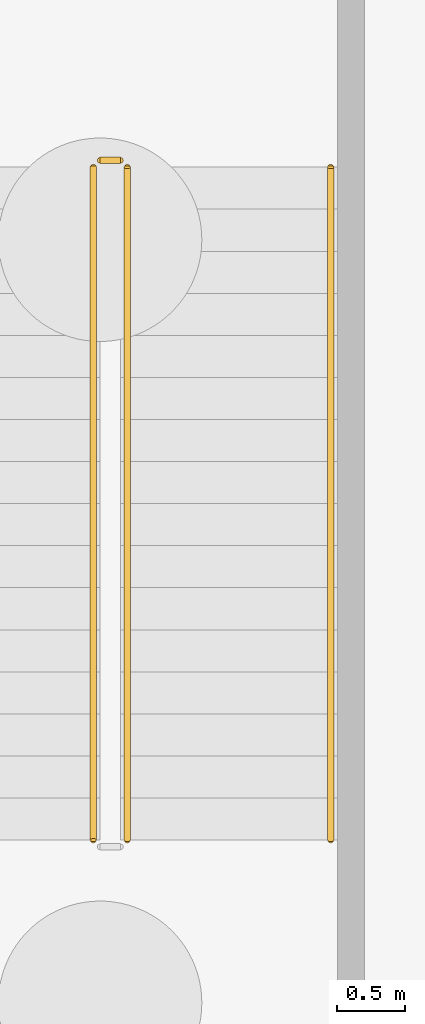
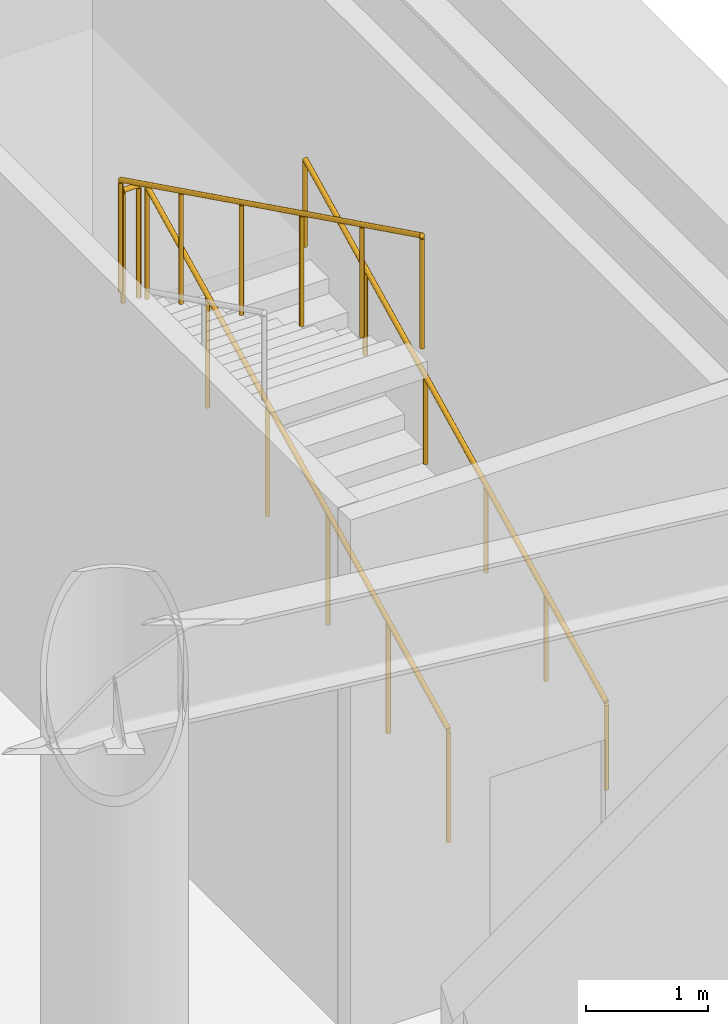
# One storey, part 10 of 11: 4 railings.
"""IFC4 building model written with IfcOpenShell, lengths in metres."""

from ifc_helpers import new_model, si_unit, direction, frame, origin, origin_2d, place, context, subcontext, project, spatial, circle, extrude, material, type_object, element, save


model = new_model("IFC4")

# Units and contexts
model_context = context("Model", 3, precision=1e-05, world=origin(), true_north=direction((0.0, 1.0)))
body_context = subcontext(model_context, "Body", "Model", "MODEL_VIEW")
ifc_project = project(units=[si_unit("LENGTHUNIT", "METRE"), si_unit("AREAUNIT", "SQUARE_METRE"), si_unit("VOLUMEUNIT", "CUBIC_METRE"), si_unit("PLANEANGLEUNIT", "RADIAN"), si_unit("MASSUNIT", "GRAM", prefix="KILO")], contexts=[model_context])

# Site, building, storey
site_placement = place(None, origin())
site = spatial("IfcSite", under=ifc_project, at=site_placement, CompositionType="ELEMENT")
building_placement = place(site_placement, origin())
building = spatial("IfcBuilding", under=site, at=building_placement, Name="Vaeldorn Concourse Tower", CompositionType="ELEMENT")
storey_placement = place(building_placement, frame((0.0, 0.0, -15.60009765625)))
storey = spatial("IfcBuildingStorey", under=building, at=storey_placement, Name="B03", CompositionType="ELEMENT", Elevation=-15.60009765625)

# Railings
ifc_material = material(Name="Anodised Bronze Aluminium", Category="aluminium")
railing_type_1 = type_object("IfcRailingType", Name="RL-STAIR-GUARD", PredefinedType="GUARDRAIL", material=ifc_material)
railing_1_placement = place(storey_placement, frame((64.699951171875, 38.449951171875, 0.153076171875)))
element("IfcRailing", 1, at=railing_1_placement, inside=storey, type_object=railing_type_1, Name="B03 ST-4 stair guard 1", PredefinedType="GUARDRAIL", context=body_context, shape_type="SweptSolid", body=[
    extrude(circle(Radius=0.02392578125, at=origin_2d()), frame((0.0, 0.0, 1.1259765625), z_axis=(0.0, 0.896798178328, 0.442439857323), x_axis=(-1.0, 0.0, 0.0)), (0.0, 0.0, 1.0), 5.53076171875),
    extrude(circle(Radius=0.02099609375, at=origin_2d()), origin(), (0.0, 0.0, 1.0), 1.101806640625),
    extrude(circle(Radius=0.02099609375, at=origin_2d()), frame((0.0, 0.991943359375, 0.489501953125)), (0.0, 0.0, 1.0), 1.101806640625),
    extrude(circle(Radius=0.02099609375, at=origin_2d()), frame((0.0, 1.98388671875, 0.978759765625)), (0.0, 0.0, 1.0), 1.101806640625),
    extrude(circle(Radius=0.02099609375, at=origin_2d()), frame((0.0, 2.97607421875, 1.46826171875)), (0.0, 0.0, 1.0), 1.101806640625),
    extrude(circle(Radius=0.02099609375, at=origin_2d()), frame((0.0, 3.968017578125, 1.95751953125)), (0.0, 0.0, 1.0), 1.101806640625),
    extrude(circle(Radius=0.02099609375, at=origin_2d()), frame((0.0, 4.9599609375, 2.447021484375)), (0.0, 0.0, 1.0), 1.101806640625),
])
railing_2_placement = place(storey_placement, frame((64.64990234375, 43.4599609375, 2.60009765625)))
element("IfcRailing", 2, at=railing_2_placement, inside=storey, type_object=railing_type_1, Name="B03 ST-4 stair guard 2", PredefinedType="GUARDRAIL", context=body_context, shape_type="SweptSolid", body=[
    extrude(circle(Radius=0.02392578125, at=origin_2d()), frame((0.0, 0.0, 1.1259765625), z_axis=(-1.0, 0.0, 0.0), x_axis=(0.0, -1.0, 0.0)), (0.0, 0.0, 1.0), 0.14990234375),
    extrude(circle(Radius=0.02099609375, at=origin_2d()), origin(), (0.0, 0.0, 1.0), 1.101806640625),
    extrude(circle(Radius=0.02099609375, at=origin_2d()), frame((-0.14990234375, 0.0, 0.0)), (0.0, 0.0, 1.0), 1.101806640625),
])
railing_3_placement = place(storey_placement, frame((64.449951171875, 43.409912109375, 2.7529296875)))
element("IfcRailing", 3, at=railing_3_placement, inside=storey, type_object=railing_type_1, Name="B03 ST-4 stair guard 3", PredefinedType="GUARDRAIL", context=body_context, shape_type="SweptSolid", body=[
    extrude(circle(Radius=0.02392578125, at=origin_2d()), frame((0.0, 0.0, 1.1259765625), z_axis=(0.0, -0.896780663155, 0.442475357721), x_axis=(1.0, 0.0, 0.0)), (0.0, 0.0, 1.0), 5.53076171875),
    extrude(circle(Radius=0.02099609375, at=origin_2d()), origin(), (0.0, 0.0, 1.0), 1.101806640625),
    extrude(circle(Radius=0.02099609375, at=origin_2d()), frame((0.0, -0.991943359375, 0.489501953125)), (0.0, 0.0, 1.0), 1.101806640625),
    extrude(circle(Radius=0.02099609375, at=origin_2d()), frame((0.0, -1.98388671875, 0.97900390625)), (0.0, 0.0, 1.0), 1.101806640625),
    extrude(circle(Radius=0.02099609375, at=origin_2d()), frame((0.0, -2.97607421875, 1.46826171875)), (0.0, 0.0, 1.0), 1.101806640625),
    extrude(circle(Radius=0.02099609375, at=origin_2d()), frame((0.0, -3.968017578125, 1.957763671875)), (0.0, 0.0, 1.0), 1.101806640625),
    extrude(circle(Radius=0.02099609375, at=origin_2d()), frame((0.0, -4.9599609375, 2.447265625)), (0.0, 0.0, 1.0), 1.101806640625),
])
railing_type_2 = type_object("IfcRailingType", Name="RL-STAIR-HANDRAIL", PredefinedType="HANDRAIL", material=ifc_material)
railing_4_placement = place(storey_placement, frame((66.199951171875, 38.449951171875, 0.153076171875)))
element("IfcRailing", 4, at=railing_4_placement, inside=storey, type_object=railing_type_2, Name="B03 ST-4 stair handrail 1", PredefinedType="HANDRAIL", context=body_context, shape_type="SweptSolid", body=[
    extrude(circle(Radius=0.02392578125, at=origin_2d()), frame((0.0, 0.0, 0.8759765625), z_axis=(0.0, 0.896798178328, 0.442439857323), x_axis=(-1.0, 0.0, 0.0)), (0.0, 0.0, 1.0), 5.53076171875),
    extrude(circle(Radius=0.02099609375, at=origin_2d()), origin(), (0.0, 0.0, 1.0), 0.851806640625),
    extrude(circle(Radius=0.02099609375, at=origin_2d()), frame((0.0, 0.991943359375, 0.489501953125)), (0.0, 0.0, 1.0), 0.851806640625),
    extrude(circle(Radius=0.02099609375, at=origin_2d()), frame((0.0, 1.98388671875, 0.978759765625)), (0.0, 0.0, 1.0), 0.851806640625),
    extrude(circle(Radius=0.02099609375, at=origin_2d()), frame((0.0, 2.97607421875, 1.46826171875)), (0.0, 0.0, 1.0), 0.851806640625),
    extrude(circle(Radius=0.02099609375, at=origin_2d()), frame((0.0, 3.968017578125, 1.95751953125)), (0.0, 0.0, 1.0), 0.851806640625),
    extrude(circle(Radius=0.02099609375, at=origin_2d()), frame((0.0, 4.9599609375, 2.447021484375)), (0.0, 0.0, 1.0), 0.851806640625),
])

save(model, "model.ifc")
